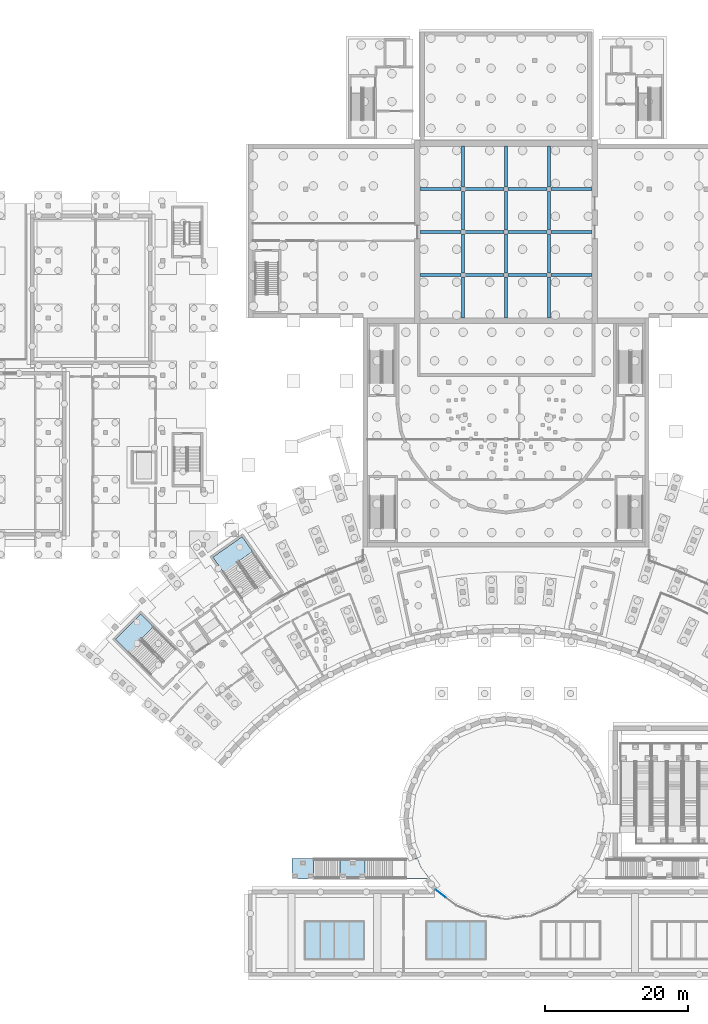
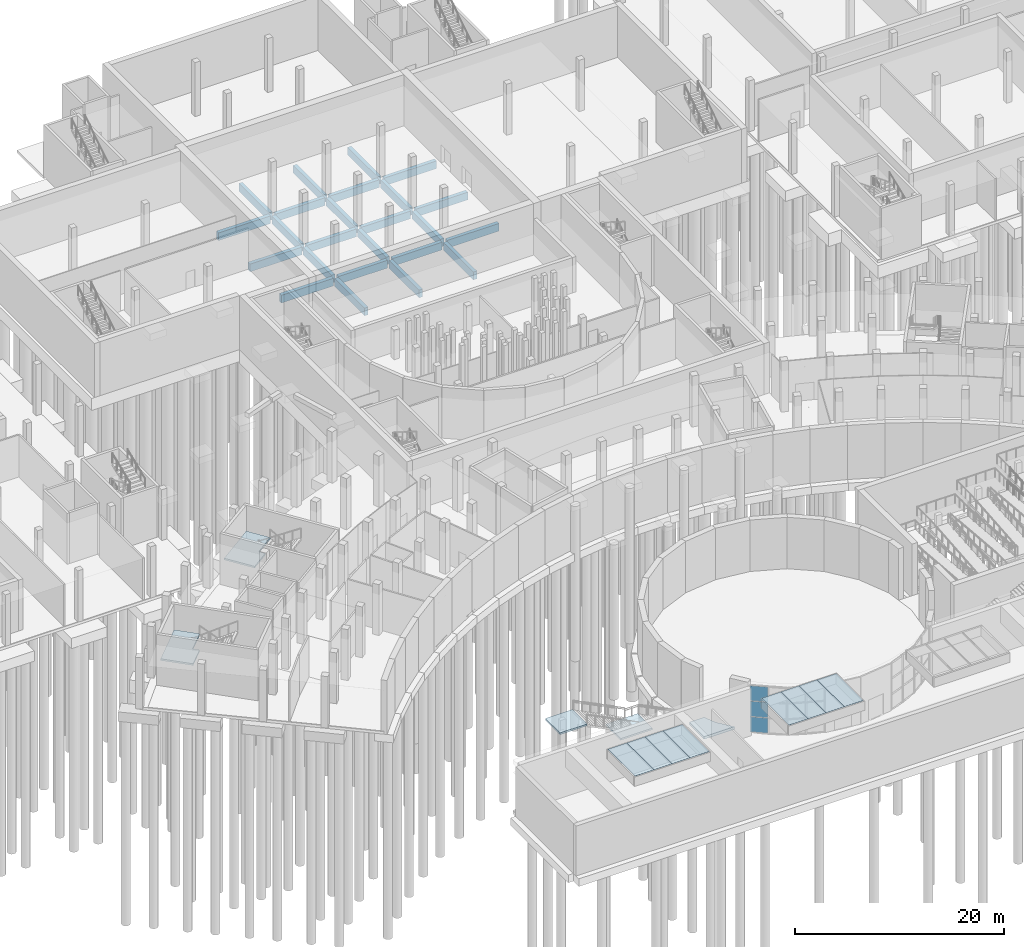
# One storey, part 15 of 66: 24 beams, 11 plates, 5 slabs, 4 elements without a shape of their own.
"""IFC4 building model written with IfcOpenShell, lengths in metres."""

from ifc_helpers import new_model, si_unit, direction, frame, origin, origin_2d, place, context, subcontext, project, spatial, polyline, rectangle, outline, extrude, material, layer, layer_set, material_profile, profile_set, type_object, element, aggregate, save


model = new_model("IFC4")

# Units and contexts
model_context = context("Model", 3, precision=1e-05, world=origin(), true_north=direction((0.0, 1.0)))
body_context = subcontext(model_context, "Body", "Model", "MODEL_VIEW")
ifc_project = project(units=[si_unit("LENGTHUNIT", "METRE"), si_unit("AREAUNIT", "SQUARE_METRE"), si_unit("VOLUMEUNIT", "CUBIC_METRE"), si_unit("PLANEANGLEUNIT", "RADIAN"), si_unit("MASSUNIT", "GRAM", prefix="KILO")], contexts=[model_context])

# Site, building, storey
site_placement = place(None, origin())
site = spatial("IfcSite", under=ifc_project, at=site_placement, CompositionType="ELEMENT")
building_placement = place(site_placement, origin())
building = spatial("IfcBuilding", under=site, at=building_placement, Name="Lunette Opera House", CompositionType="ELEMENT")
storey_placement = place(building_placement, frame((0.0, 0.0, -6.0)))
storey = spatial("IfcBuildingStorey", under=building, at=storey_placement, Name="B1", CompositionType="ELEMENT", Elevation=-6.0)

# Beams
ifc_material_1 = material(Name="Concrete C35/45", Category="concrete")
ifc_material_profile = material_profile(ifc_material_1, rectangle(XDim=0.39990234375, YDim=0.89990234375, at=origin_2d()), Name="RC BEAM 400X900")
ifc_profile_set = profile_set([ifc_material_profile], Name="Concrete C35/45")
beam_type = type_object("IfcBeamType", Name="RC BEAM 400X900", PredefinedType="BEAM", material=ifc_profile_set)
beam_1_placement = place(storey_placement, frame((83.989990234375, 102.0, -0.75), z_axis=(1.0, 0.0, 0.0), x_axis=(0.0, 1.0, 0.0)))
element("IfcBeam", 1, at=beam_1_placement, inside=storey, type_object=beam_type, Name="beam-ST-B1-TB2-X1020-1", PredefinedType="BEAM", context=body_context, shape_type="SweptSolid", body=[
    extrude(rectangle(XDim=0.39990234375, YDim=0.89990234375, at=origin_2d()), origin(), (0.0, 0.0, 1.0), 5.719970703125),
])
for number, where, z_axis, x_axis, name in (
    (2, (90.2900390625, 102.0, -0.75), (1.0, 0.0, 0.0), (0.0, 1.0, 0.0), "beam-ST-B1-TB2-X1020-2"),
    (3, (96.2900390625, 102.0, -0.75), (1.0, 0.0, 0.0), (0.0, 1.0, 0.0), "beam-ST-B1-TB2-X1020-3"),
):
    element("IfcBeam", number, at=place(storey_placement, frame(where, z_axis=z_axis, x_axis=x_axis)), inside=storey, type_object=beam_type, Name=name, PredefinedType="BEAM", context=body_context, shape_type="SweptSolid", body=[
        extrude(rectangle(XDim=0.39990234375, YDim=0.89990234375, at=origin_2d()), origin(), (0.0, 0.0, 1.0), 5.419921875),
    ])
for number, where, z_axis, x_axis, name in (
    (4, (102.2900390625, 102.0, -0.75), (1.0, 0.0, 0.0), (0.0, 1.0, 0.0), "beam-ST-B1-TB2-X1020-4"),
    (5, (83.989990234375, 108.0, -0.75), (1.0, 0.0, 0.0), (0.0, 1.0, 0.0), "beam-ST-B1-TB2-X1080-1"),
):
    element("IfcBeam", number, at=place(storey_placement, frame(where, z_axis=z_axis, x_axis=x_axis)), inside=storey, type_object=beam_type, Name=name, PredefinedType="BEAM", context=body_context, shape_type="SweptSolid", body=[
        extrude(rectangle(XDim=0.39990234375, YDim=0.89990234375, at=origin_2d()), origin(), (0.0, 0.0, 1.0), 5.719970703125),
    ])
for number, where, z_axis, x_axis, name in (
    (6, (90.2900390625, 108.0, -0.75), (1.0, 0.0, 0.0), (0.0, 1.0, 0.0), "beam-ST-B1-TB2-X1080-2"),
    (7, (96.2900390625, 108.0, -0.75), (1.0, 0.0, 0.0), (0.0, 1.0, 0.0), "beam-ST-B1-TB2-X1080-3"),
):
    element("IfcBeam", number, at=place(storey_placement, frame(where, z_axis=z_axis, x_axis=x_axis)), inside=storey, type_object=beam_type, Name=name, PredefinedType="BEAM", context=body_context, shape_type="SweptSolid", body=[
        extrude(rectangle(XDim=0.39990234375, YDim=0.89990234375, at=origin_2d()), origin(), (0.0, 0.0, 1.0), 5.419921875),
    ])
for number, where, z_axis, x_axis, name in (
    (8, (102.2900390625, 108.0, -0.75), (1.0, 0.0, 0.0), (0.0, 1.0, 0.0), "beam-ST-B1-TB2-X1080-4"),
    (9, (83.989990234375, 114.0, -0.75), (1.0, 0.0, 0.0), (0.0, 1.0, 0.0), "beam-ST-B1-TB2-X1140-1"),
):
    element("IfcBeam", number, at=place(storey_placement, frame(where, z_axis=z_axis, x_axis=x_axis)), inside=storey, type_object=beam_type, Name=name, PredefinedType="BEAM", context=body_context, shape_type="SweptSolid", body=[
        extrude(rectangle(XDim=0.39990234375, YDim=0.89990234375, at=origin_2d()), origin(), (0.0, 0.0, 1.0), 5.719970703125),
    ])
for number, where, z_axis, x_axis, name in (
    (10, (90.2900390625, 114.0, -0.75), (1.0, 0.0, 0.0), (0.0, 1.0, 0.0), "beam-ST-B1-TB2-X1140-2"),
    (11, (96.2900390625, 114.0, -0.75), (1.0, 0.0, 0.0), (0.0, 1.0, 0.0), "beam-ST-B1-TB2-X1140-3"),
):
    element("IfcBeam", number, at=place(storey_placement, frame(where, z_axis=z_axis, x_axis=x_axis)), inside=storey, type_object=beam_type, Name=name, PredefinedType="BEAM", context=body_context, shape_type="SweptSolid", body=[
        extrude(rectangle(XDim=0.39990234375, YDim=0.89990234375, at=origin_2d()), origin(), (0.0, 0.0, 1.0), 5.419921875),
    ])
for number, where, z_axis, x_axis, name in (
    (12, (102.2900390625, 114.0, -0.75), (1.0, 0.0, 0.0), (0.0, 1.0, 0.0), "beam-ST-B1-TB2-X1140-4"),
    (13, (90.0, 95.989990234375, -0.75), (0.0, 1.0, 0.0), (-1.0, 0.0, 0.0), "beam-ST-B1-TB2-Y900-1"),
):
    element("IfcBeam", number, at=place(storey_placement, frame(where, z_axis=z_axis, x_axis=x_axis)), inside=storey, type_object=beam_type, Name=name, PredefinedType="BEAM", context=body_context, shape_type="SweptSolid", body=[
        extrude(rectangle(XDim=0.39990234375, YDim=0.89990234375, at=origin_2d()), origin(), (0.0, 0.0, 1.0), 5.719970703125),
    ])
for number, where, z_axis, x_axis, name in (
    (14, (90.0, 102.2900390625, -0.75), (0.0, 1.0, 0.0), (-1.0, 0.0, 0.0), "beam-ST-B1-TB2-Y900-2"),
    (15, (90.0, 108.2900390625, -0.75), (0.0, 1.0, 0.0), (-1.0, 0.0, 0.0), "beam-ST-B1-TB2-Y900-3"),
):
    element("IfcBeam", number, at=place(storey_placement, frame(where, z_axis=z_axis, x_axis=x_axis)), inside=storey, type_object=beam_type, Name=name, PredefinedType="BEAM", context=body_context, shape_type="SweptSolid", body=[
        extrude(rectangle(XDim=0.39990234375, YDim=0.89990234375, at=origin_2d()), origin(), (0.0, 0.0, 1.0), 5.419921875),
    ])
for number, where, z_axis, x_axis, name in (
    (16, (90.0, 114.2900390625, -0.75), (0.0, 1.0, 0.0), (-1.0, 0.0, 0.0), "beam-ST-B1-TB2-Y900-4"),
    (17, (96.0, 95.989990234375, -0.75), (0.0, 1.0, 0.0), (-1.0, 0.0, 0.0), "beam-ST-B1-TB2-Y960-1"),
):
    element("IfcBeam", number, at=place(storey_placement, frame(where, z_axis=z_axis, x_axis=x_axis)), inside=storey, type_object=beam_type, Name=name, PredefinedType="BEAM", context=body_context, shape_type="SweptSolid", body=[
        extrude(rectangle(XDim=0.39990234375, YDim=0.89990234375, at=origin_2d()), origin(), (0.0, 0.0, 1.0), 5.719970703125),
    ])
for number, where, z_axis, x_axis, name in (
    (18, (96.0, 102.2900390625, -0.75), (0.0, 1.0, 0.0), (-1.0, 0.0, 0.0), "beam-ST-B1-TB2-Y960-2"),
    (19, (96.0, 108.2900390625, -0.75), (0.0, 1.0, 0.0), (-1.0, 0.0, 0.0), "beam-ST-B1-TB2-Y960-3"),
):
    element("IfcBeam", number, at=place(storey_placement, frame(where, z_axis=z_axis, x_axis=x_axis)), inside=storey, type_object=beam_type, Name=name, PredefinedType="BEAM", context=body_context, shape_type="SweptSolid", body=[
        extrude(rectangle(XDim=0.39990234375, YDim=0.89990234375, at=origin_2d()), origin(), (0.0, 0.0, 1.0), 5.419921875),
    ])
for number, where, z_axis, x_axis, name in (
    (20, (96.0, 114.2900390625, -0.75), (0.0, 1.0, 0.0), (-1.0, 0.0, 0.0), "beam-ST-B1-TB2-Y960-4"),
    (21, (102.0, 95.989990234375, -0.75), (0.0, 1.0, 0.0), (-1.0, 0.0, 0.0), "beam-ST-B1-TB2-Y1020-1"),
):
    element("IfcBeam", number, at=place(storey_placement, frame(where, z_axis=z_axis, x_axis=x_axis)), inside=storey, type_object=beam_type, Name=name, PredefinedType="BEAM", context=body_context, shape_type="SweptSolid", body=[
        extrude(rectangle(XDim=0.39990234375, YDim=0.89990234375, at=origin_2d()), origin(), (0.0, 0.0, 1.0), 5.719970703125),
    ])
for number, where, z_axis, x_axis, name in (
    (22, (102.0, 102.2900390625, -0.75), (0.0, 1.0, 0.0), (-1.0, 0.0, 0.0), "beam-ST-B1-TB2-Y1020-2"),
    (23, (102.0, 108.2900390625, -0.75), (0.0, 1.0, 0.0), (-1.0, 0.0, 0.0), "beam-ST-B1-TB2-Y1020-3"),
):
    element("IfcBeam", number, at=place(storey_placement, frame(where, z_axis=z_axis, x_axis=x_axis)), inside=storey, type_object=beam_type, Name=name, PredefinedType="BEAM", context=body_context, shape_type="SweptSolid", body=[
        extrude(rectangle(XDim=0.39990234375, YDim=0.89990234375, at=origin_2d()), origin(), (0.0, 0.0, 1.0), 5.419921875),
    ])
beam_2_placement = place(storey_placement, frame((102.0, 114.2900390625, -0.75), z_axis=(0.0, 1.0, 0.0), x_axis=(-1.0, 0.0, 0.0)))
element("IfcBeam", 24, at=beam_2_placement, inside=storey, type_object=beam_type, Name="beam-ST-B1-TB2-Y1020-4", PredefinedType="BEAM", context=body_context, shape_type="SweptSolid", body=[
    extrude(rectangle(XDim=0.39990234375, YDim=0.89990234375, at=origin_2d()), origin(), (0.0, 0.0, 1.0), 5.719970703125),
])

# Slab
ifc_material_2 = material(Name="Concrete C35/45", Category="concrete")
ifc_layer_1 = layer(ifc_material_2, 0.300048828125)
ifc_layer_set_1 = layer_set([ifc_layer_1], Name="Concrete C35/45")
slab_type_1 = type_object("IfcSlabType", Name="COURT SLAB 300", PredefinedType="BASESLAB", material=ifc_layer_set_1)
slab_1_placement = place(storey_placement, frame((0.0, 0.0, -0.300048828125)))
element("IfcSlab", 25, at=slab_1_placement, inside=storey, type_object=slab_type_1, Name="slab-SF-B1-COURT-FS-W", PredefinedType="BASESLAB", context=body_context, shape_type="SweptSolid", body=[
    extrude(outline(polyline([(82.0, 17.60009765625), (85.3291015625, 17.60009765625), (84.137939453125, 19.15087890625), (83.62109375, 20.39990234375), (82.0, 20.39990234375), (82.0, 17.60009765625)])), origin(), (0.0, 0.0, 1.0), 0.300048828125),
])

# Curtain wall, plates
ifc_material_3 = material(Name="Aluminium", Category="aluminium")
ifc_layer_2 = layer(ifc_material_3, 0.139892578125)
ifc_layer_set_2 = layer_set([ifc_layer_2], Name="Aluminium")
curtain_wall_type = type_object("IfcCurtainWallType", Name="COURT SCREEN CURTAIN WALL", PredefinedType="NOTDEFINED", material=ifc_layer_set_2)
curtain_wall_placement = place(storey_placement, origin())
curtain_wall = element("IfcCurtainWall", 26, at=curtain_wall_placement, inside=storey, type_object=curtain_wall_type, Name="Court Screen Curtain Wall CSCW15 B1", PredefinedType="NOTDEFINED")
ifc_material_4 = material(Name="Laminated glass", Category="glass")
ifc_layer_3 = layer(ifc_material_4, 0.028076171875)
ifc_layer_set_3 = layer_set([ifc_layer_3], Name="Laminated glass")
plate_type_1 = type_object("IfcPlateType", Name="CURTAIN PANEL LAMINATED GLASS 28", PredefinedType="CURTAIN_PANEL", material=ifc_layer_set_3)
plate_1_placement = place(storey_placement, frame((86.837646484375, 15.53564453125, 0.06005859375), z_axis=(0.0, 0.0, 1.0), x_axis=(-0.793284736887, 0.608850824277, 0.0)))
plate_1 = element("IfcPlate", 27, at=plate_1_placement, type_object=plate_type_1, Name="SF-X2004 panel 2.1", PredefinedType="CURTAIN_PANEL", context=body_context, shape_type="SweptSolid", body=[
    extrude(rectangle(XDim=1.7373046875, YDim=0.028076171875, at=origin_2d()), origin(), (0.0, 0.0, 1.0), 1.742919921875),
])
plate_2_placement = place(storey_placement, frame((86.837646484375, 15.53564453125, 1.863037109375), z_axis=(0.0, 0.0, 1.0), x_axis=(-0.793284736887, 0.608850824277, 0.0)))
plate_2 = element("IfcPlate", 28, at=plate_2_placement, type_object=plate_type_1, Name="SF-X2004 panel 2.2", PredefinedType="CURTAIN_PANEL", context=body_context, shape_type="SweptSolid", body=[
    extrude(rectangle(XDim=1.7373046875, YDim=0.028076171875, at=origin_2d()), origin(), (0.0, 0.0, 1.0), 1.77392578125),
])
plate_3_placement = place(storey_placement, frame((86.837646484375, 15.53564453125, 3.697265625), z_axis=(0.0, 0.0, 1.0), x_axis=(-0.793284736887, 0.608850824277, 0.0)))
plate_3 = element("IfcPlate", 29, at=plate_3_placement, type_object=plate_type_1, Name="SF-X2004 panel 2.3", PredefinedType="CURTAIN_PANEL", context=body_context, shape_type="SweptSolid", body=[
    extrude(rectangle(XDim=1.7373046875, YDim=0.028076171875, at=origin_2d()), origin(), (0.0, 0.0, 1.0), 1.742919921875),
])
aggregate(curtain_wall, [plate_1, plate_2, plate_3])

# Stair, slabs
ifc_material_5 = material(Name="Concrete C35/45", Category="concrete")
stair_type_1 = type_object("IfcStairType", Name="FORECOURT STAIR 4000", PredefinedType="STRAIGHT_RUN_STAIR", material=ifc_material_5)
stair_1_placement = place(storey_placement, origin())
stair_1 = element("IfcStair", 30, at=stair_1_placement, inside=storey, type_object=stair_type_1, Name="Forecourt stair FS1", PredefinedType="STRAIGHT_RUN_STAIR")
ifc_material_6 = material(Name="Concrete C35/45", Category="concrete")
ifc_layer_4 = layer(ifc_material_6, 0.199951171875)
ifc_layer_set_4 = layer_set([ifc_layer_4], Name="Concrete C35/45")
slab_type_2 = type_object("IfcSlabType", Name="FORECOURT STAIR LANDING 200", PredefinedType="LANDING", material=ifc_layer_set_4)
slab_2_placement = place(storey_placement, frame((0.0, 0.0, 2.800048828125)))
slab_2 = element("IfcSlab", 31, at=slab_2_placement, type_object=slab_type_2, Name="FS1 landing 1", PredefinedType="LANDING", context=body_context, shape_type="SweptSolid", body=[
    extrude(outline(polyline([(72.800048828125, 17.60009765625), (72.800048828125, 20.39990234375), (76.300048828125, 20.39990234375), (76.300048828125, 17.60009765625), (72.800048828125, 17.60009765625)])), origin(), (0.0, 0.0, 1.0), 0.199951171875),
])
slab_3_placement = place(storey_placement, frame((0.0, 0.0, 5.800048828125)))
slab_3 = element("IfcSlab", 32, at=slab_3_placement, type_object=slab_type_2, Name="FS1 landing 2", PredefinedType="LANDING", context=body_context, shape_type="SweptSolid", body=[
    extrude(outline(polyline([(69.10009765625, 20.39990234375), (66.10009765625, 20.39990234375), (66.10009765625, 17.60009765625), (69.10009765625, 17.60009765625), (69.10009765625, 20.39990234375)])), origin(), (0.0, 0.0, 1.0), 0.199951171875),
])
aggregate(stair_1, [slab_2, slab_3])

# Plates
ifc_material_7 = material(Name="Laminated glass", Category="glass")
ifc_layer_5 = layer(ifc_material_7, 0.02392578125)
ifc_layer_set_5 = layer_set([ifc_layer_5], Name="Laminated glass")
plate_type_2 = type_object("IfcPlateType", Name="ROOFLIGHT GLASS 24", PredefinedType="SHEET", material=ifc_layer_set_5)
plate_4_placement = place(storey_placement, frame((67.89990234375, 6.39990234375, 7.1240234375), z_axis=(0.0, 0.0, 1.0), x_axis=(1.0, 0.0, 0.0)))
element("IfcPlate", 33, at=plate_4_placement, inside=storey, type_object=plate_type_2, Name="Rooflight glass RL1 1", PredefinedType="SHEET", context=body_context, shape_type="SweptSolid", body=[
    extrude(outline(polyline([(0.0, 0.0), (2.10009765625, 0.0), (2.10009765625, 5.2001953125), (0.0, 5.2001953125), (0.0, 0.0)])), origin(), (0.0, 0.0, -1.0), 0.02392578125),
])
for number, where, z_axis, x_axis, name in (
    (34, (70.0, 6.39990234375, 7.1240234375), (0.0, 0.0, 1.0), (1.0, 0.0, 0.0), "Rooflight glass RL1 2"),
    (35, (72.0, 6.39990234375, 7.1240234375), (0.0, 0.0, 1.0), (1.0, 0.0, 0.0), "Rooflight glass RL1 3"),
):
    element("IfcPlate", number, at=place(storey_placement, frame(where, z_axis=z_axis, x_axis=x_axis)), inside=storey, type_object=plate_type_2, Name=name, PredefinedType="SHEET", context=body_context, shape_type="SweptSolid", body=[
        extrude(outline(polyline([(0.0, 0.0), (2.0, 0.0), (2.0, 5.2001953125), (0.0, 5.2001953125), (0.0, 0.0)])), origin(), (0.0, 0.0, -1.0), 0.02392578125),
    ])
for number, where, z_axis, x_axis, name in (
    (36, (74.0, 6.39990234375, 7.1240234375), (0.0, 0.0, 1.0), (1.0, 0.0, 0.0), "Rooflight glass RL1 4"),
    (37, (84.89990234375, 6.39990234375, 7.1240234375), (0.0, 0.0, 1.0), (1.0, 0.0, 0.0), "Rooflight glass RL2 1"),
):
    element("IfcPlate", number, at=place(storey_placement, frame(where, z_axis=z_axis, x_axis=x_axis)), inside=storey, type_object=plate_type_2, Name=name, PredefinedType="SHEET", context=body_context, shape_type="SweptSolid", body=[
        extrude(outline(polyline([(0.0, 0.0), (2.10009765625, 0.0), (2.10009765625, 5.2001953125), (0.0, 5.2001953125), (0.0, 0.0)])), origin(), (0.0, 0.0, -1.0), 0.02392578125),
    ])
for number, where, z_axis, x_axis, name in (
    (38, (87.0, 6.39990234375, 7.1240234375), (0.0, 0.0, 1.0), (1.0, 0.0, 0.0), "Rooflight glass RL2 2"),
    (39, (89.0, 6.39990234375, 7.1240234375), (0.0, 0.0, 1.0), (1.0, 0.0, 0.0), "Rooflight glass RL2 3"),
):
    element("IfcPlate", number, at=place(storey_placement, frame(where, z_axis=z_axis, x_axis=x_axis)), inside=storey, type_object=plate_type_2, Name=name, PredefinedType="SHEET", context=body_context, shape_type="SweptSolid", body=[
        extrude(outline(polyline([(0.0, 0.0), (2.0, 0.0), (2.0, 5.2001953125), (0.0, 5.2001953125), (0.0, 0.0)])), origin(), (0.0, 0.0, -1.0), 0.02392578125),
    ])
plate_5_placement = place(storey_placement, frame((91.0, 6.39990234375, 7.1240234375), z_axis=(0.0, 0.0, 1.0), x_axis=(1.0, 0.0, 0.0)))
element("IfcPlate", 40, at=plate_5_placement, inside=storey, type_object=plate_type_2, Name="Rooflight glass RL2 4", PredefinedType="SHEET", context=body_context, shape_type="SweptSolid", body=[
    extrude(outline(polyline([(0.0, 0.0), (2.10009765625, 0.0), (2.10009765625, 5.2001953125), (0.0, 5.2001953125), (0.0, 0.0)])), origin(), (0.0, 0.0, -1.0), 0.02392578125),
])

# Stair, slab
ifc_material_8 = material(Name="Concrete C35/45", Category="concrete")
stair_type_2 = type_object("IfcStairType", Name="DOGLEG STAIR 2400", PredefinedType="HALF_TURN_STAIR", material=ifc_material_8)
stair_2_placement = place(storey_placement, origin())
stair_2 = element("IfcStair", 41, at=stair_2_placement, inside=storey, type_object=stair_type_2, Name="B1 stair ST1", PredefinedType="HALF_TURN_STAIR")
ifc_material_9 = material(Name="Concrete C35/45", Category="concrete")
ifc_layer_6 = layer(ifc_material_9, 0.199951171875)
ifc_layer_set_6 = layer_set([ifc_layer_6], Name="Concrete C35/45")
slab_type_3 = type_object("IfcSlabType", Name="STAIR LANDING SLAB 200", PredefinedType="LANDING", material=ifc_layer_set_6)
slab_4_placement = place(storey_placement, frame((0.0, 0.0, 2.800048828125)))
slab_4 = element("IfcSlab", 42, at=slab_4_placement, type_object=slab_type_3, Name="ST1 landing 1", PredefinedType="LANDING", context=body_context, shape_type="SweptSolid", body=[
    extrude(outline(polyline([(41.3759765625, 51.087890625), (44.912109375, 54.6240234375), (46.700927734375, 52.8349609375), (45.00390625, 51.137939453125), (44.9970703125, 51.14501953125), (44.85498046875, 51.0029296875), (45.35009765625, 50.508056640625), (43.653076171875, 48.81103515625), (41.3759765625, 51.087890625)])), origin(), (0.0, 0.0, 1.0), 0.199951171875),
])
aggregate(stair_2, [slab_4])

stair_3_placement = place(storey_placement, origin())
stair_3 = element("IfcStair", 43, at=stair_3_placement, inside=storey, type_object=stair_type_2, Name="B1 stair ST2", PredefinedType="HALF_TURN_STAIR")
slab_5_placement = place(storey_placement, frame((0.0, 0.0, 2.800048828125)))
slab_5 = element("IfcSlab", 44, at=slab_5_placement, type_object=slab_type_3, Name="ST2 landing 1", PredefinedType="LANDING", context=body_context, shape_type="SweptSolid", body=[
    extrude(outline(polyline([(55.009033203125, 62.552001953125), (59.10498046875, 65.4189453125), (60.556884765625, 63.345947265625), (58.590087890625, 61.969970703125), (58.5849609375, 61.97802734375), (58.419921875, 61.863037109375), (58.822021484375, 61.2900390625), (56.85595703125, 59.9130859375), (55.009033203125, 62.552001953125)])), origin(), (0.0, 0.0, 1.0), 0.199951171875),
])
aggregate(stair_3, [slab_5])

save(model, "model.ifc")
